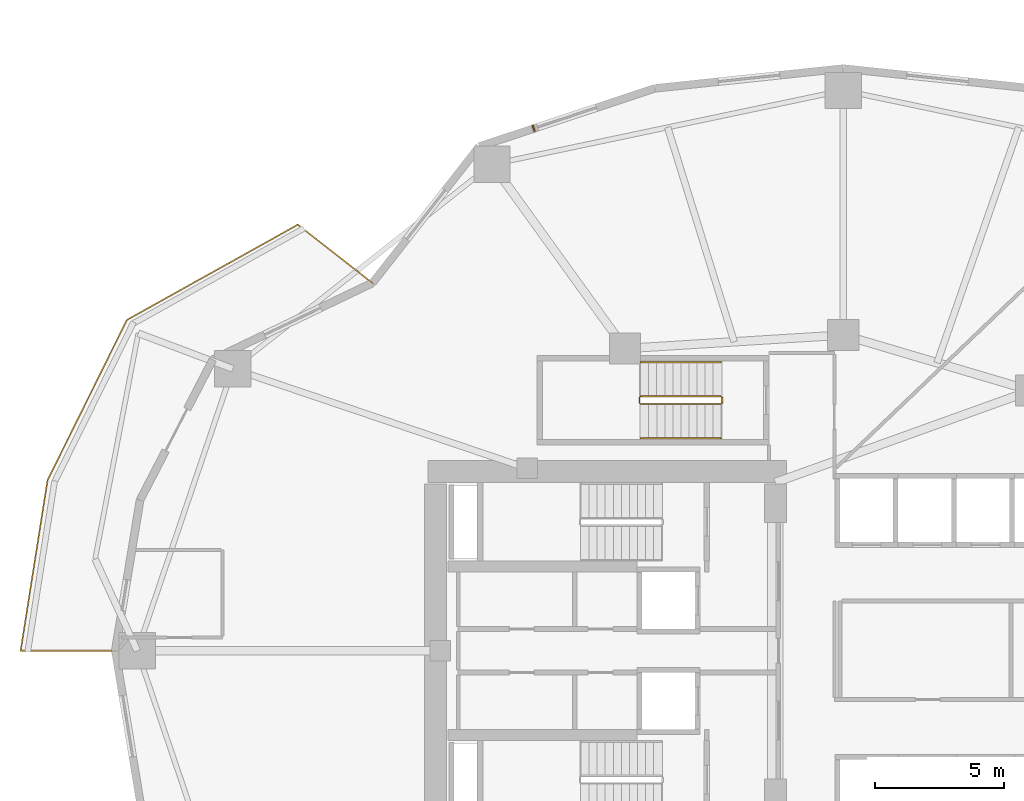
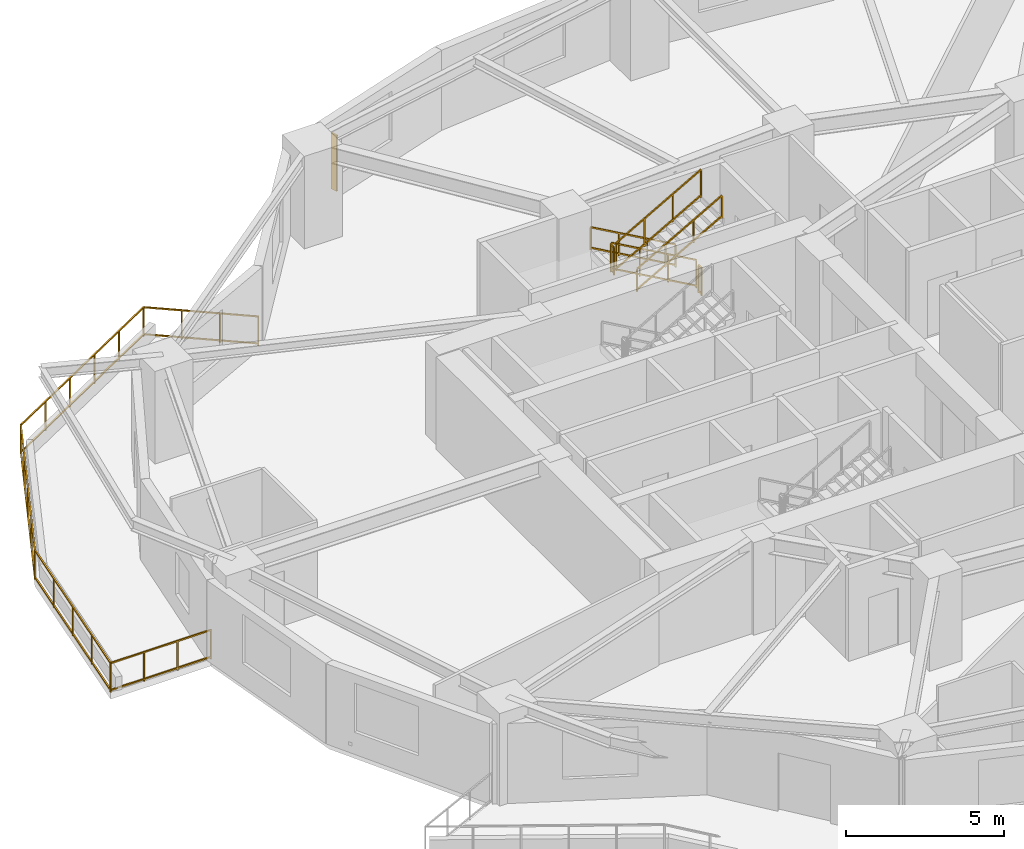
# One storey, part 11 of 13: 7 railings, 1 shading device.
"""IFC4 building model written with IfcOpenShell, lengths in metres."""

from ifc_helpers import new_model, si_unit, direction, frame, origin, origin_2d, place, context, subcontext, project, spatial, rectangle, extrude, material, type_object, element, save


model = new_model("IFC4")

# Units and contexts
model_context = context("Model", 3, precision=1e-05, world=origin(), true_north=direction((0.0, 1.0)))
body_context = subcontext(model_context, "Body", "Model", "MODEL_VIEW")
ifc_project = project(units=[si_unit("LENGTHUNIT", "METRE"), si_unit("AREAUNIT", "SQUARE_METRE"), si_unit("VOLUMEUNIT", "CUBIC_METRE"), si_unit("PLANEANGLEUNIT", "RADIAN"), si_unit("MASSUNIT", "GRAM", prefix="KILO")], contexts=[model_context])

# Site, building, storey
site_placement = place(None, origin())
site = spatial("IfcSite", under=ifc_project, at=site_placement, CompositionType="ELEMENT")
building_placement = place(site_placement, origin())
building = spatial("IfcBuilding", under=site, at=building_placement, Name="Kolvaren Gate Tower and Convention Centre", CompositionType="ELEMENT")
storey_placement = place(building_placement, frame((0.0, 0.0, 26.5)))
storey = spatial("IfcBuildingStorey", under=building, at=storey_placement, Name="L05", CompositionType="ELEMENT", Elevation=26.5)

# Railings
ifc_material_1 = material(Name="Brushed Stainless Steel Grade 316L", Category="steel")
railing_type_1 = type_object("IfcRailingType", Name="ARCH-RL-GUARD-1150", PredefinedType="GUARDRAIL", material=ifc_material_1)
railing_1_placement = place(storey_placement, frame((25.39990234375, 36.830078125, 0.175048828125)))
element("IfcRailing", 1, at=railing_1_placement, inside=storey, type_object=railing_type_1, Name="L05 ST-T3 stair guard 1", PredefinedType="GUARDRAIL", context=body_context, shape_type="SweptSolid", body=[
    extrude(rectangle(XDim=0.048095703125, YDim=0.048095703125, at=origin_2d()), frame((0.0, 0.0, 1.076171875), z_axis=(-0.870814364268, 0.0, 0.491611984175), x_axis=(0.0, -1.0, 0.0)), (0.0, 0.0, 1.0), 3.559814453125),
    extrude(rectangle(XDim=0.048095703125, YDim=0.048095703125, at=origin_2d()), frame((0.0, 0.0, 0.083984375), z_axis=(-0.870814364268, 0.0, 0.491611984175), x_axis=(0.0, -1.0, 0.0)), (0.0, 0.0, 1.0), 3.559814453125),
    extrude(rectangle(XDim=0.0419921875, YDim=0.0419921875, at=origin_2d()), origin(), (0.0, 0.0, 1.0), 1.050048828125),
    extrude(rectangle(XDim=0.0419921875, YDim=0.0419921875, at=origin_2d()), frame((-3.099853515625, 0.0, 1.75)), (0.0, 0.0, 1.0), 1.050048828125),
    extrude(rectangle(XDim=0.0419921875, YDim=0.0419921875, at=origin_2d()), frame((-1.033203125, 0.0, 0.583251953125)), (0.0, 0.0, 1.0), 1.050048828125),
    extrude(rectangle(XDim=0.0419921875, YDim=0.0419921875, at=origin_2d()), frame((-2.066650390625, 0.0, 1.166748046875)), (0.0, 0.0, 1.0), 1.050048828125),
])
railing_2_placement = place(storey_placement, frame((22.25, 36.780029296875, 1.925048828125)))
element("IfcRailing", 2, at=railing_2_placement, inside=storey, type_object=railing_type_1, Name="L05 ST-T3 stair guard 2", PredefinedType="GUARDRAIL", context=body_context, shape_type="SweptSolid", body=[
    extrude(rectangle(XDim=0.048095703125, YDim=0.048095703125, at=origin_2d()), frame((0.0, 0.0, 1.076171875), z_axis=(0.0, -1.0, 0.0), x_axis=(1.0, 0.0, 0.0)), (0.0, 0.0, 1.0), 0.199951171875),
    extrude(rectangle(XDim=0.048095703125, YDim=0.048095703125, at=origin_2d()), frame((0.0, 0.0, 0.083984375), z_axis=(0.0, -1.0, 0.0), x_axis=(1.0, 0.0, 0.0)), (0.0, 0.0, 1.0), 0.199951171875),
    extrude(rectangle(XDim=0.0419921875, YDim=0.0419921875, at=origin_2d()), origin(), (0.0, 0.0, 1.0), 1.050048828125),
    extrude(rectangle(XDim=0.0419921875, YDim=0.0419921875, at=origin_2d()), frame((0.0, -0.199951171875, 0.0)), (0.0, 0.0, 1.0), 1.050048828125),
])
railing_3_placement = place(storey_placement, frame((22.300048828125, 36.530029296875, 2.10009765625)))
element("IfcRailing", 3, at=railing_3_placement, inside=storey, type_object=railing_type_1, Name="L05 ST-T3 stair guard 3", PredefinedType="GUARDRAIL", context=body_context, shape_type="SweptSolid", body=[
    extrude(rectangle(XDim=0.048095703125, YDim=0.048095703125, at=origin_2d()), frame((0.0, 0.0, 1.076171875), z_axis=(0.870814364268, 0.0, 0.491611984175), x_axis=(0.0, 1.0, 0.0)), (0.0, 0.0, 1.0), 3.559814453125),
    extrude(rectangle(XDim=0.048095703125, YDim=0.048095703125, at=origin_2d()), frame((0.0, 0.0, 0.083984375), z_axis=(0.870814364268, 0.0, 0.491611984175), x_axis=(0.0, 1.0, 0.0)), (0.0, 0.0, 1.0), 3.559814453125),
    extrude(rectangle(XDim=0.0419921875, YDim=0.0419921875, at=origin_2d()), origin(), (0.0, 0.0, 1.0), 1.050048828125),
    extrude(rectangle(XDim=0.0419921875, YDim=0.0419921875, at=origin_2d()), frame((3.099853515625, 0.0, 1.75)), (0.0, 0.0, 1.0), 1.050048828125),
    extrude(rectangle(XDim=0.0419921875, YDim=0.0419921875, at=origin_2d()), frame((1.033203125, 0.0, 0.583251953125)), (0.0, 0.0, 1.0), 1.050048828125),
    extrude(rectangle(XDim=0.0419921875, YDim=0.0419921875, at=origin_2d()), frame((2.066650390625, 0.0, 1.166748046875)), (0.0, 0.0, 1.0), 1.050048828125),
])
railing_4_placement = place(storey_placement, frame((25.449951171875, 36.780029296875, 0.0)))
element("IfcRailing", 4, at=railing_4_placement, inside=storey, type_object=railing_type_1, Name="L05 ST-T3 stair guard 4", PredefinedType="GUARDRAIL", context=body_context, shape_type="SweptSolid", body=[
    extrude(rectangle(XDim=0.048095703125, YDim=0.048095703125, at=origin_2d()), frame((0.0, 0.0, 1.076171875), z_axis=(0.0, -1.0, 0.0), x_axis=(1.0, 0.0, 0.0)), (0.0, 0.0, 1.0), 0.199951171875),
    extrude(rectangle(XDim=0.048095703125, YDim=0.048095703125, at=origin_2d()), frame((0.0, 0.0, 0.083984375), z_axis=(0.0, -1.0, 0.0), x_axis=(1.0, 0.0, 0.0)), (0.0, 0.0, 1.0), 0.199951171875),
    extrude(rectangle(XDim=0.0419921875, YDim=0.0419921875, at=origin_2d()), origin(), (0.0, 0.0, 1.0), 1.050048828125),
    extrude(rectangle(XDim=0.0419921875, YDim=0.0419921875, at=origin_2d()), frame((0.0, -0.199951171875, 0.0)), (0.0, 0.0, 1.0), 1.050048828125),
])
railing_5_placement = place(storey_placement, frame((11.934814453125, 41.212890625, 0.0)))
element("IfcRailing", 5, at=railing_5_placement, inside=storey, type_object=railing_type_1, Name="Tower L05 Terrace Perimeter Guardrail GR-2", PredefinedType="GUARDRAIL", context=body_context, shape_type="SweptSolid", body=[
    extrude(rectangle(XDim=0.048095703125, YDim=0.048095703125, at=origin_2d()), frame((-0.022216796875, 0.017333984375, 1.1259765625), z_axis=(-0.787988976981, 0.61568934712, 0.0), x_axis=(-0.61568934712, -0.787988976981, 0.0)), (0.0, 0.0, 1.0), 3.60400390625),
    extrude(rectangle(XDim=0.048095703125, YDim=0.048095703125, at=origin_2d()), frame((-0.022216796875, 0.017333984375, 0.083984375), z_axis=(-0.787988976981, 0.61568934712, 0.0), x_axis=(-0.61568934712, -0.787988976981, 0.0)), (0.0, 0.0, 1.0), 3.60400390625),
    extrude(rectangle(XDim=0.048095703125, YDim=0.048095703125, at=origin_2d()), frame((-2.908447265625, 2.23974609375, 1.1259765625), z_axis=(-0.873486390754, -0.486848564923, 0.0), x_axis=(0.486848564923, -0.873486390754, 0.0)), (0.0, 0.0, 1.0), 7.506103515625),
    extrude(rectangle(XDim=0.048095703125, YDim=0.048095703125, at=origin_2d()), frame((-2.908447265625, 2.23974609375, 0.083984375), z_axis=(-0.873486390754, -0.486848564923, 0.0), x_axis=(0.486848564923, -0.873486390754, 0.0)), (0.0, 0.0, 1.0), 7.506103515625),
    extrude(rectangle(XDim=0.048095703125, YDim=0.048095703125, at=origin_2d()), frame((-9.501953125, -1.453369140625, 1.1259765625), z_axis=(-0.443578479433, -0.8962355341, 0.0), x_axis=(0.8962355341, -0.443578479433, 0.0)), (0.0, 0.0, 1.0), 6.855224609375),
    extrude(rectangle(XDim=0.048095703125, YDim=0.048095703125, at=origin_2d()), frame((-9.501953125, -1.453369140625, 0.083984375), z_axis=(-0.443578479433, -0.8962355341, 0.0), x_axis=(0.8962355341, -0.443578479433, 0.0)), (0.0, 0.0, 1.0), 6.855224609375),
    extrude(rectangle(XDim=0.048095703125, YDim=0.048095703125, at=origin_2d()), frame((-12.5595703125, -7.64990234375, 1.1259765625), z_axis=(-0.155806612617, -0.987787578108, 0.0), x_axis=(0.987787578108, -0.155806612617, 0.0)), (0.0, 0.0, 1.0), 6.615966796875),
    extrude(rectangle(XDim=0.048095703125, YDim=0.048095703125, at=origin_2d()), frame((-12.5595703125, -7.64990234375, 0.083984375), z_axis=(-0.155806612617, -0.987787578108, 0.0), x_axis=(0.987787578108, -0.155806612617, 0.0)), (0.0, 0.0, 1.0), 6.615966796875),
    extrude(rectangle(XDim=0.048095703125, YDim=0.048095703125, at=origin_2d()), frame((-13.566650390625, -14.212890625, 1.1259765625), z_axis=(1.0, 0.0, 0.0), x_axis=(0.0, 1.0, 0.0)), (0.0, 0.0, 1.0), 3.603759765625),
    extrude(rectangle(XDim=0.048095703125, YDim=0.048095703125, at=origin_2d()), frame((-13.566650390625, -14.212890625, 0.083984375), z_axis=(1.0, 0.0, 0.0), x_axis=(0.0, 1.0, 0.0)), (0.0, 0.0, 1.0), 3.603759765625),
    extrude(rectangle(XDim=0.0419921875, YDim=0.0419921875, at=origin_2d()), origin(), (0.0, 0.0, 1.0), 1.14990234375),
    extrude(rectangle(XDim=0.0419921875, YDim=0.0419921875, at=origin_2d()), frame((-2.884033203125, 2.25341796875, 0.0)), (0.0, 0.0, 1.0), 1.14990234375),
    extrude(rectangle(XDim=0.0419921875, YDim=0.0419921875, at=origin_2d()), frame((-0.96142578125, 0.751220703125, 0.0)), (0.0, 0.0, 1.0), 1.099853515625),
    extrude(rectangle(XDim=0.0419921875, YDim=0.0419921875, at=origin_2d()), frame((-1.922607421875, 1.502197265625, 0.0)), (0.0, 0.0, 1.0), 1.099853515625),
    extrude(rectangle(XDim=0.0419921875, YDim=0.0419921875, at=origin_2d()), frame((-9.489501953125, -1.42822265625, 0.0)), (0.0, 0.0, 1.0), 1.14990234375),
    extrude(rectangle(XDim=0.0419921875, YDim=0.0419921875, at=origin_2d()), frame((-4.205078125, 1.51708984375, 0.0)), (0.0, 0.0, 1.0), 1.099853515625),
    extrude(rectangle(XDim=0.0419921875, YDim=0.0419921875, at=origin_2d()), frame((-5.526123046875, 0.78076171875, 0.0)), (0.0, 0.0, 1.0), 1.099853515625),
    extrude(rectangle(XDim=0.0419921875, YDim=0.0419921875, at=origin_2d()), frame((-6.847412109375, 0.04443359375, 0.0)), (0.0, 0.0, 1.0), 1.099853515625),
    extrude(rectangle(XDim=0.0419921875, YDim=0.0419921875, at=origin_2d()), frame((-8.16845703125, -0.69189453125, 0.0)), (0.0, 0.0, 1.0), 1.099853515625),
    extrude(rectangle(XDim=0.0419921875, YDim=0.0419921875, at=origin_2d()), frame((-12.55517578125, -7.622314453125, 0.0)), (0.0, 0.0, 1.0), 1.14990234375),
    extrude(rectangle(XDim=0.0419921875, YDim=0.0419921875, at=origin_2d()), frame((-10.255859375, -2.976806640625, 0.0)), (0.0, 0.0, 1.0), 1.099853515625),
    extrude(rectangle(XDim=0.0419921875, YDim=0.0419921875, at=origin_2d()), frame((-11.0224609375, -4.525390625, 0.0)), (0.0, 0.0, 1.0), 1.099853515625),
    extrude(rectangle(XDim=0.0419921875, YDim=0.0419921875, at=origin_2d()), frame((-11.788818359375, -6.07373046875, 0.0)), (0.0, 0.0, 1.0), 1.099853515625),
    extrude(rectangle(XDim=0.0419921875, YDim=0.0419921875, at=origin_2d()), frame((-13.5947265625, -14.212890625, 0.0)), (0.0, 0.0, 1.0), 1.14990234375),
    extrude(rectangle(XDim=0.0419921875, YDim=0.0419921875, at=origin_2d()), frame((-12.81494140625, -9.27001953125, 0.0)), (0.0, 0.0, 1.0), 1.099853515625),
    extrude(rectangle(XDim=0.0419921875, YDim=0.0419921875, at=origin_2d()), frame((-13.074951171875, -10.91748046875, 0.0)), (0.0, 0.0, 1.0), 1.099853515625),
    extrude(rectangle(XDim=0.0419921875, YDim=0.0419921875, at=origin_2d()), frame((-13.3349609375, -12.565185546875, 0.0)), (0.0, 0.0, 1.0), 1.099853515625),
    extrude(rectangle(XDim=0.0419921875, YDim=0.0419921875, at=origin_2d()), frame((-9.934814453125, -14.212890625, 0.0)), (0.0, 0.0, 1.0), 1.14990234375),
    extrude(rectangle(XDim=0.0419921875, YDim=0.0419921875, at=origin_2d()), frame((-12.374755859375, -14.212890625, 0.0)), (0.0, 0.0, 1.0), 1.099853515625),
    extrude(rectangle(XDim=0.0419921875, YDim=0.0419921875, at=origin_2d()), frame((-11.15478515625, -14.212890625, 0.0)), (0.0, 0.0, 1.0), 1.099853515625),
])
railing_type_2 = type_object("IfcRailingType", Name="ARCH-RL-HANDRAIL-920", PredefinedType="HANDRAIL", material=ifc_material_1)
railing_6_placement = place(storey_placement, frame((25.39990234375, 38.14990234375, 0.175048828125)))
element("IfcRailing", 6, at=railing_6_placement, inside=storey, type_object=railing_type_2, Name="L05 ST-T3 stair handrail 1", PredefinedType="HANDRAIL", context=body_context, shape_type="SweptSolid", body=[
    extrude(rectangle(XDim=0.048095703125, YDim=0.048095703125, at=origin_2d()), frame((0.0, 0.0, 0.8759765625), z_axis=(-0.870814364268, 0.0, 0.491611984175), x_axis=(0.0, -1.0, 0.0)), (0.0, 0.0, 1.0), 3.559814453125),
    extrude(rectangle(XDim=0.048095703125, YDim=0.048095703125, at=origin_2d()), frame((0.0, 0.0, 0.083984375), z_axis=(-0.870814364268, 0.0, 0.491611984175), x_axis=(0.0, -1.0, 0.0)), (0.0, 0.0, 1.0), 3.559814453125),
    extrude(rectangle(XDim=0.0419921875, YDim=0.0419921875, at=origin_2d()), origin(), (0.0, 0.0, 1.0), 0.849853515625),
    extrude(rectangle(XDim=0.0419921875, YDim=0.0419921875, at=origin_2d()), frame((-3.099853515625, 0.0, 1.75)), (0.0, 0.0, 1.0), 0.849853515625),
    extrude(rectangle(XDim=0.0419921875, YDim=0.0419921875, at=origin_2d()), frame((-1.033203125, 0.0, 0.583251953125)), (0.0, 0.0, 1.0), 0.849853515625),
    extrude(rectangle(XDim=0.0419921875, YDim=0.0419921875, at=origin_2d()), frame((-2.066650390625, 0.0, 1.166748046875)), (0.0, 0.0, 1.0), 0.849853515625),
])
railing_7_placement = place(storey_placement, frame((22.300048828125, 35.2099609375, 2.10009765625)))
element("IfcRailing", 7, at=railing_7_placement, inside=storey, type_object=railing_type_2, Name="L05 ST-T3 stair handrail 2", PredefinedType="HANDRAIL", context=body_context, shape_type="SweptSolid", body=[
    extrude(rectangle(XDim=0.048095703125, YDim=0.048095703125, at=origin_2d()), frame((0.0, 0.0, 0.8759765625), z_axis=(0.870814364268, 0.0, 0.491611984175), x_axis=(0.0, 1.0, 0.0)), (0.0, 0.0, 1.0), 3.559814453125),
    extrude(rectangle(XDim=0.048095703125, YDim=0.048095703125, at=origin_2d()), frame((0.0, 0.0, 0.083984375), z_axis=(0.870814364268, 0.0, 0.491611984175), x_axis=(0.0, 1.0, 0.0)), (0.0, 0.0, 1.0), 3.559814453125),
    extrude(rectangle(XDim=0.0419921875, YDim=0.0419921875, at=origin_2d()), origin(), (0.0, 0.0, 1.0), 0.849853515625),
    extrude(rectangle(XDim=0.0419921875, YDim=0.0419921875, at=origin_2d()), frame((3.099853515625, 0.0, 1.75)), (0.0, 0.0, 1.0), 0.849853515625),
    extrude(rectangle(XDim=0.0419921875, YDim=0.0419921875, at=origin_2d()), frame((1.033203125, 0.0, 0.583251953125)), (0.0, 0.0, 1.0), 0.849853515625),
    extrude(rectangle(XDim=0.0419921875, YDim=0.0419921875, at=origin_2d()), frame((2.066650390625, 0.0, 1.166748046875)), (0.0, 0.0, 1.0), 0.849853515625),
])

# Shading device
ifc_material_2 = material(Name="Kiln-Fired Bogota Terracotta Ceramic Louvre Profile", Category="masonry")
shading_device_type = type_object("IfcShadingDeviceType", Name="ARCH-SHD-FIN-180", PredefinedType="JALOUSIE", material=ifc_material_2)
shading_device_placement = place(storey_placement, frame((18.1630859375, 47.181640625, 0.219970703125), z_axis=(0.0, 0.0, 1.0), x_axis=(0.949242826568, 0.314544203905, 0.0)))
element("IfcShadingDevice", 8, at=shading_device_placement, inside=storey, type_object=shading_device_type, Name="Ceramic Vertical Brise-Soleil Fin FN-L05-07", PredefinedType="JALOUSIE", context=body_context, shape_type="SweptSolid", body=[
    extrude(rectangle(XDim=0.06005859375, YDim=0.239990234375, at=origin_2d()), origin(), (0.0, 0.0, 1.0), 2.14990234375),
])

save(model, "model.ifc")
